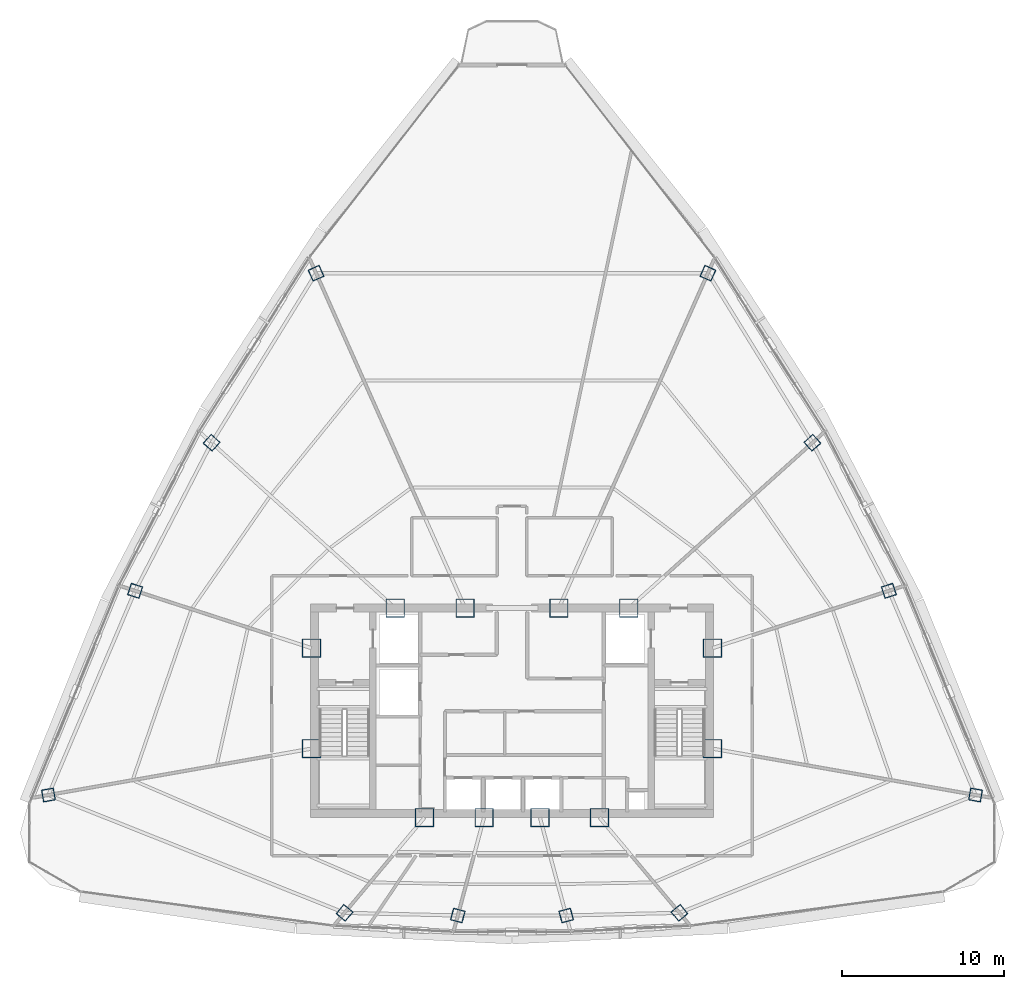
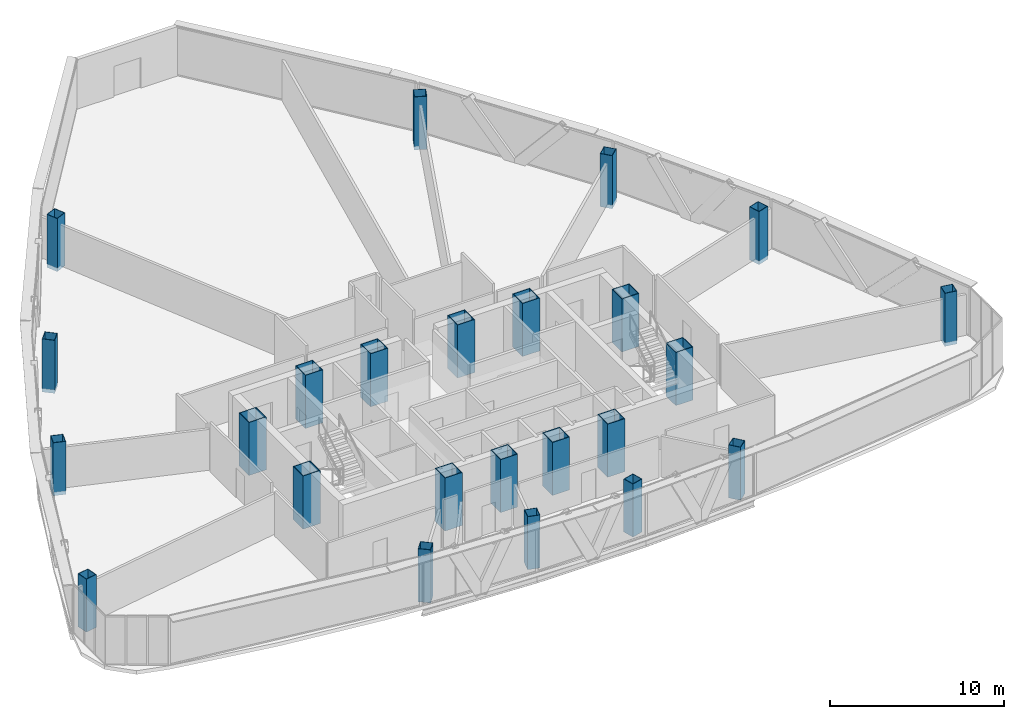
# One storey, part 1 of 33: 24 columns.
"""IFC4 building model written with IfcOpenShell, lengths in metres."""

import ifcopenshell
import ifcopenshell.guid

model = None  # the IFC model being written
_history = None  # IfcOwnerHistory: only IFC2X3 demands one
_inside = {}  # id of a spatial element -> (the spatial element, [elements in it])
_under = {}  # id of a project, library or spatial element -> (it, [spatial elements below it])
_declared = {}  # id of a project -> (the project, [libraries it declares])
_typed = {}  # id of a type object -> (the type object, [elements of that type])
_made_of = {}  # id of a material, layer set ... -> (it, [elements and type objects made of it])


def new_model(schema):
    """Start an empty IFC model of exactly this schema.

    Asked for "IFC4X3", IfcOpenShell would pick the latest addendum, in which some entities
    have other attributes; the version numbers below select the first issue.
    IFC2X3 requires an IfcOwnerHistory on every rooted entity: one is made here for all.
    """
    global model, _history
    if schema == "IFC4X3":
        model = ifcopenshell.file(schema_version=(4, 3, 0, 0))
    else:
        model = ifcopenshell.file(schema=schema)
    _inside.clear()
    _under.clear()
    _declared.clear()
    _typed.clear()
    _made_of.clear()
    _history = None
    if model.schema == "IFC2X3":
        org = make("IfcOrganization", Name="unknown")
        user = make(
            "IfcPersonAndOrganization",
            ThePerson=make("IfcPerson", FamilyName="unknown"),
            TheOrganization=org,
        )
        app = make(
            "IfcApplication",
            ApplicationDeveloper=org,
            Version="unknown",
            ApplicationFullName="unknown",
            ApplicationIdentifier="unknown",
        )
        _history = make(
            "IfcOwnerHistory",
            OwningUser=user,
            OwningApplication=app,
            ChangeAction="ADDED",
            CreationDate=0,
        )
    return model


def make(cls, **values):
    """One entity of the class cls with the attributes given. An attribute that is None is left unset."""
    return model.create_entity(
        cls, **{name: value for name, value in values.items() if value is not None}
    )


def rooted(cls, **values):
    """An entity with a GlobalId (a new one), such as an element, a storey or a relation."""
    return make(cls, GlobalId=ifcopenshell.guid.new(), OwnerHistory=_history, **values)


def si_unit(unit_type, name, prefix=None):
    """IfcSIUnit, for example si_unit("LENGTHUNIT", "METRE", prefix="MILLI")."""
    return make("IfcSIUnit", UnitType=unit_type, Prefix=prefix, Name=name)


def assignment(units):
    """IfcUnitAssignment: the units of a project."""
    return None if units is None else make("IfcUnitAssignment", Units=units)


def point(xyz):
    """IfcCartesianPoint."""
    return None if xyz is None else make("IfcCartesianPoint", Coordinates=xyz)


def direction(xyz):
    """IfcDirection."""
    return None if xyz is None else make("IfcDirection", DirectionRatios=xyz)


def frame(location, z_axis=None, x_axis=None):
    """IfcAxis2Placement3D, a coordinate frame: its origin and axes. An axis left out is left unset."""
    return make(
        "IfcAxis2Placement3D",
        Location=point(location),
        Axis=direction(z_axis),
        RefDirection=direction(x_axis),
    )


def frame_2d(location, x_axis=None):
    """IfcAxis2Placement2D, a coordinate frame in the plane: its origin and x axis."""
    return make(
        "IfcAxis2Placement2D", Location=point(location), RefDirection=direction(x_axis)
    )


def origin():
    """The frame at (0, 0, 0) with its axes left unset."""
    return frame((0.0, 0.0, 0.0))


def origin_2d():
    """The frame at (0, 0) in the plane with its x axis left unset."""
    return frame_2d((0.0, 0.0))


def place(relative_to, where):
    """IfcLocalPlacement: puts the frame where relative to a parent placement (None: the world)."""
    return make(
        "IfcLocalPlacement", PlacementRelTo=relative_to, RelativePlacement=where
    )


def context(
    kind, dimensions, precision=None, world=None, true_north=None, identifier=None
):
    """IfcGeometricRepresentationContext, for example the 3D "Model" context."""
    return make(
        "IfcGeometricRepresentationContext",
        ContextIdentifier=identifier,
        ContextType=kind,
        CoordinateSpaceDimension=dimensions,
        Precision=precision,
        WorldCoordinateSystem=world,
        TrueNorth=true_north,
    )


def subcontext(parent, identifier, kind, view, scale=None):
    """IfcGeometricRepresentationSubContext, for example "Body" below "Model"."""
    return make(
        "IfcGeometricRepresentationSubContext",
        ContextIdentifier=identifier,
        ContextType=kind,
        ParentContext=parent,
        TargetScale=scale,
        TargetView=view,
    )


def project(units=None, contexts=None):
    """IfcProject with its units and contexts."""
    return rooted(
        "IfcProject",
        Name="project",
        RepresentationContexts=contexts,
        UnitsInContext=assignment(units),
    )


def spatial(cls, under=None, at=None, **own):
    """A site, building, storey or space (cls), placed at a placement, below another one or the project."""
    s = rooted(cls, ObjectPlacement=at, **own)
    if under is not None:
        _under.setdefault(under.id(), (under, []))[1].append(s)
    return s


def profile(cls, at=None, kind="AREA", **sizes):
    """A parametric profile (cls). Its sizes go by their IFC names, for example OverallWidth=200.0."""
    return make(cls, ProfileType=kind, Position=at, **sizes)


def hollow_rectangle(**sizes):
    """IfcRectangleHollowProfileDef."""
    return profile("IfcRectangleHollowProfileDef", **sizes)


def extrude(swept, where, along, depth):
    """IfcExtrudedAreaSolid: the profile swept, set in the frame where, extruded along a direction by depth."""
    return make(
        "IfcExtrudedAreaSolid",
        SweptArea=swept,
        Position=where,
        ExtrudedDirection=direction(along),
        Depth=depth,
    )


def shape(context_of_items, identifier, shape_type, items):
    """IfcShapeRepresentation: the items that make up one representation, for example the "Body"."""
    return make(
        "IfcShapeRepresentation",
        ContextOfItems=context_of_items,
        RepresentationIdentifier=identifier,
        RepresentationType=shape_type,
        Items=items,
    )


def source(mapping_origin, context_of_items, identifier, shape_type, items):
    """IfcRepresentationMap: a shape defined once, which mapped items show again and again."""
    return make(
        "IfcRepresentationMap",
        MappingOrigin=mapping_origin,
        MappedRepresentation=shape(context_of_items, identifier, shape_type, items),
    )


def transform(
    local_origin,
    x_axis=None,
    y_axis=None,
    z_axis=None,
    scale=None,
    scale2=None,
    scale3=None,
    uniform=True,
):
    """IfcCartesianTransformationOperator3D, or its non-uniform kind. x_axis, y_axis, z_axis: its Axis1, 2, 3."""
    if uniform:
        return make(
            "IfcCartesianTransformationOperator3D",
            Axis1=direction(x_axis),
            Axis2=direction(y_axis),
            LocalOrigin=point(local_origin),
            Scale=scale,
            Axis3=direction(z_axis),
        )
    return make(
        "IfcCartesianTransformationOperator3DnonUniform",
        Axis1=direction(x_axis),
        Axis2=direction(y_axis),
        LocalOrigin=point(local_origin),
        Scale=scale,
        Axis3=direction(z_axis),
        Scale2=scale2,
        Scale3=scale3,
    )


def mapped(mapping_source, mapping_target):
    """IfcMappedItem: shows the shape of a source again, moved by a transform."""
    return make(
        "IfcMappedItem", MappingSource=mapping_source, MappingTarget=mapping_target
    )


def material(Name=None, Category=None):
    """IfcMaterial."""
    return make("IfcMaterial", Name=Name, Category=Category)


def material_profile(
    of_material, cross_section, Name=None, Category=None, Priority=None
):
    """IfcMaterialProfile: a cross section and its material."""
    return make(
        "IfcMaterialProfile",
        Name=Name,
        Material=of_material,
        Profile=cross_section,
        Priority=Priority,
        Category=Category,
    )


def profile_set(profiles, Name=None, composite=None):
    """IfcMaterialProfileSet."""
    return make(
        "IfcMaterialProfileSet",
        Name=Name,
        MaterialProfiles=profiles,
        CompositeProfile=composite,
    )


def made_of(thing, what):
    """Note that an element or type object is made of a material, layer set ...; save() writes the relation."""
    if what is not None:
        _made_of.setdefault(what.id(), (what, []))[1].append(thing)
    return thing


def type_object(cls, material=None, **own):
    """A type object (cls), such as IfcWallType, which elements share."""
    return made_of(rooted(cls, **own), material)


def element(
    cls,
    number,
    at=None,
    inside=None,
    cuts=None,
    type_object=None,
    material=None,
    context=None,
    identifier="Body",
    shape_type=None,
    held_by="IfcProductDefinitionShape",
    body=None,
    shapes=None,
    **own,
):
    """One element of the class cls, such as IfcWall. Its Tag is "e" and its number.

    at: its placement. inside: the storey or other place that contains it. cuts: it is an
    opening in that element (IfcRelVoidsElement). A single representation is given by context,
    identifier, shape_type and body (its items); several are given by shapes. held_by: the class
    of the entity that holds the representations. save() writes the other relations.
    """
    e = rooted(cls, Tag="e%d" % number, ObjectPlacement=at, **own)
    if body is not None:
        shapes = [shape(context, identifier, shape_type, body)]
    if shapes is not None:
        e.Representation = make(held_by, Representations=shapes)
    if inside is not None:
        _inside.setdefault(inside.id(), (inside, []))[1].append(e)
    if cuts is not None:
        rooted(
            "IfcRelVoidsElement", RelatingBuildingElement=cuts, RelatedOpeningElement=e
        )
    if type_object is not None:
        _typed.setdefault(type_object.id(), (type_object, []))[1].append(e)
    return made_of(e, material)


def aggregate(whole, parts):
    """IfcRelAggregates: a whole, such as a stair, and the parts it consists of."""
    return rooted("IfcRelAggregates", RelatingObject=whole, RelatedObjects=parts)


def save(model, path):
    """Write the relations noted so far, then the file.

    IfcRelAggregates (storeys below a building ...), IfcRelContainedInSpatialStructure (elements
    in a storey), IfcRelDefinesByType, IfcRelAssociatesMaterial and IfcRelDeclares: one each for
    every whole, place, type object, material and project.
    """
    for whole, parts in _under.values():
        aggregate(whole, parts)
    for where, things in _inside.values():
        rooted(
            "IfcRelContainedInSpatialStructure",
            RelatedElements=things,
            RelatingStructure=where,
        )
    for kind, things in _typed.values():
        rooted("IfcRelDefinesByType", RelatedObjects=things, RelatingType=kind)
    for what, things in _made_of.values():
        rooted("IfcRelAssociatesMaterial", RelatedObjects=things, RelatingMaterial=what)
    for by, libraries in _declared.values():
        rooted("IfcRelDeclares", RelatingContext=by, RelatedDefinitions=libraries)
    model.write(path)


model = new_model("IFC4")

# Units and contexts
model_context = context("Model", 3, precision=1e-05, world=origin(), true_north=direction((0.0, 1.0)))
body_context = subcontext(model_context, "Body", "Model", "MODEL_VIEW")
ifc_project = project(units=[si_unit("LENGTHUNIT", "METRE"), si_unit("AREAUNIT", "SQUARE_METRE"), si_unit("VOLUMEUNIT", "CUBIC_METRE"), si_unit("PLANEANGLEUNIT", "RADIAN"), si_unit("MASSUNIT", "GRAM", prefix="KILO"), si_unit("THERMODYNAMICTEMPERATUREUNIT", "KELVIN"), si_unit("POWERUNIT", "WATT")], contexts=[model_context])

# Site, building, storey
site_placement = place(None, origin())
site = spatial("IfcSite", under=ifc_project, at=site_placement, CompositionType="ELEMENT")
building_placement = place(site_placement, origin())
building = spatial("IfcBuilding", under=site, at=building_placement, Name="Yunzhuo Pagoda Commons", CompositionType="ELEMENT")
storey_placement = place(building_placement, frame((0.0, 0.0, 311.1298828125)))
storey = spatial("IfcBuildingStorey", under=building, at=storey_placement, Name="L78", CompositionType="ELEMENT", Elevation=311.1298828125)

# Columns
ifc_material_1 = material(Name="Structural steel Q420B", Category="steel")
ifc_material_profile_1 = material_profile(ifc_material_1, hollow_rectangle(XDim=1.14990234375, YDim=1.14990234375, WallThickness=0.048095703125, at=origin_2d()), Name="Structural steel Q420B")
ifc_profile_set_1 = profile_set([ifc_material_profile_1], Name="Structural steel Q420B")
column_type_1 = type_object("IfcColumnType", Name="C-COR Column BOX 1150x1150x48", PredefinedType="COLUMN", material=ifc_profile_set_1)
shared_shape_1 = source(origin(), body_context, "Body", "SweptSolid", [
    extrude(hollow_rectangle(XDim=1.14990234375, YDim=1.14990234375, WallThickness=0.048095703125, at=origin_2d()), origin(), (0.0, 0.0, 1.0), 3.72998046875),
])
for number, where, z_axis, x_axis, name in (
    (1, (42.587890625, 27.25, -0.259765625), (0.0, 0.0, 1.0), (1.0, 0.0, 0.0), "L78 core composite column F1C1"),
    (2, (46.27197265625, 27.25, -0.259765625), (0.0, 0.0, 1.0), (1.0, 0.0, 0.0), "L78 core composite column F1C2"),
    (3, (49.728515625, 27.25, -0.259765625), (0.0, 0.0, 1.0), (1.0, 0.0, 0.0), "L78 core composite column F1C3"),
    (4, (53.412109375, 27.25, -0.259765625), (0.0, 0.0, 1.0), (1.0, 0.0, 0.0), "L78 core composite column F1C4"),
    (5, (60.39990234375, 31.513427734375, -0.259765625), (0.0, 0.0, 1.0), (1.0, 0.0, 0.0), "L78 core composite column F2C1"),
    (6, (60.39990234375, 37.72900390625, -0.259765625), (0.0, 0.0, 1.0), (1.0, 0.0, 0.0), "L78 core composite column F2C2"),
    (7, (55.218994140625, 40.199951171875, -0.259765625), (0.0, 0.0, 1.0), (1.0, 0.0, 0.0), "L78 core composite column F2C3"),
    (8, (50.89404296875, 40.199951171875, -0.259765625), (0.0, 0.0, 1.0), (1.0, 0.0, 0.0), "L78 core composite column F2C4"),
    (9, (45.10595703125, 40.199951171875, -0.259765625), (0.0, 0.0, 1.0), (1.0, 0.0, 0.0), "L78 core composite column F3C1"),
    (10, (40.781005859375, 40.199951171875, -0.259765625), (0.0, 0.0, 1.0), (1.0, 0.0, 0.0), "L78 core composite column F3C2"),
    (11, (35.60009765625, 37.72900390625, -0.259765625), (0.0, 0.0, 1.0), (1.0, 0.0, 0.0), "L78 core composite column F3C3"),
    (12, (35.60009765625, 31.513427734375, -0.259765625), (0.0, 0.0, 1.0), (1.0, 0.0, 0.0), "L78 core composite column F3C4"),
):
    element("IfcColumn", number, at=place(storey_placement, frame(where, z_axis=z_axis, x_axis=x_axis)), inside=storey, type_object=column_type_1, Name=name, PredefinedType="COLUMN", context=body_context, shape_type="MappedRepresentation", body=[
        mapped(shared_shape_1, transform((0.0, 0.0, 0.0), scale=1.0)),
    ])
ifc_material_2 = material(Name="Structural steel Q355B", Category="steel")
ifc_material_profile_2 = material_profile(ifc_material_2, hollow_rectangle(XDim=0.75, YDim=0.75, WallThickness=0.028076171875, at=origin_2d()), Name="Structural steel Q355B")
ifc_profile_set_2 = profile_set([ifc_material_profile_2], Name="Structural steel Q355B")
column_type_2 = type_object("IfcColumnType", Name="C-Z6 Column BOX 750x750x28", PredefinedType="COLUMN", material=ifc_profile_set_2)
shared_shape_2 = source(origin(), body_context, "Body", "SweptSolid", [
    extrude(hollow_rectangle(XDim=0.75, YDim=0.75, WallThickness=0.028076171875, at=origin_2d()), origin(), (0.0, 0.0, 1.0), 3.72998046875),
])
for number, where, z_axis, x_axis, name in (
    (13, (37.64697265625, 21.361572265625, -0.259765625), (0.0, 0.0, 1.0), (0.766044443119, -0.642787609687, 0.0), "L78 tower column F1C1"),
    (14, (44.6494140625, 21.195556640625, -0.259765625), (0.0, 0.0, 1.0), (0.965925826289, -0.258819045103, 0.0), "L78 tower column F1C2"),
    (15, (51.3505859375, 21.195556640625, -0.259765625), (0.0, 0.0, 1.0), (0.965925826289, 0.258819045103, 0.0), "L78 tower column F1C3"),
    (16, (58.353515625, 21.361572265625, -0.259765625), (0.0, 0.0, 1.0), (0.766044443119, 0.642787609687, 0.0), "L78 tower column F1C4"),
    (17, (76.66162109375, 28.646240234375, -0.259765625), (0.0, 0.0, 1.0), (0.173648177667, 0.984807753012, 0.0), "L78 tower column F2C1"),
    (18, (71.302490234375, 41.271484375, -0.259765625), (0.0, 0.0, 1.0), (-0.309016994375, 0.951056516295, 0.0), "L78 tower column F2C2"),
    (19, (66.5732421875, 50.423583984375, -0.259765625), (0.0, 0.0, 1.0), (-0.669130606359, 0.743144825477, 0.0), "L78 tower column F2C3"),
    (20, (60.1142578125, 60.9091796875, -0.259765625), (0.0, 0.0, 1.0), (-0.913545457643, 0.406736643076, 0.0), "L78 tower column F2C4"),
    (21, (35.8857421875, 60.9091796875, -0.259765625), (0.0, 0.0, 1.0), (-0.913545457643, -0.406736643076, 0.0), "L78 tower column F3C1"),
    (22, (29.4267578125, 50.423583984375, -0.259765625), (0.0, 0.0, 1.0), (-0.669130606359, -0.743144825477, 0.0), "L78 tower column F3C2"),
    (23, (24.697509765625, 41.271484375, -0.259765625), (0.0, 0.0, 1.0), (-0.309016994375, -0.951056516295, 0.0), "L78 tower column F3C3"),
    (24, (19.33837890625, 28.646240234375, -0.259765625), (0.0, 0.0, 1.0), (0.173648177667, -0.984807753012, 0.0), "L78 tower column F3C4"),
):
    element("IfcColumn", number, at=place(storey_placement, frame(where, z_axis=z_axis, x_axis=x_axis)), inside=storey, type_object=column_type_2, Name=name, PredefinedType="COLUMN", context=body_context, shape_type="MappedRepresentation", body=[
        mapped(shared_shape_2, transform((0.0, 0.0, 0.0), scale=1.0)),
    ])

save(model, "model.ifc")
